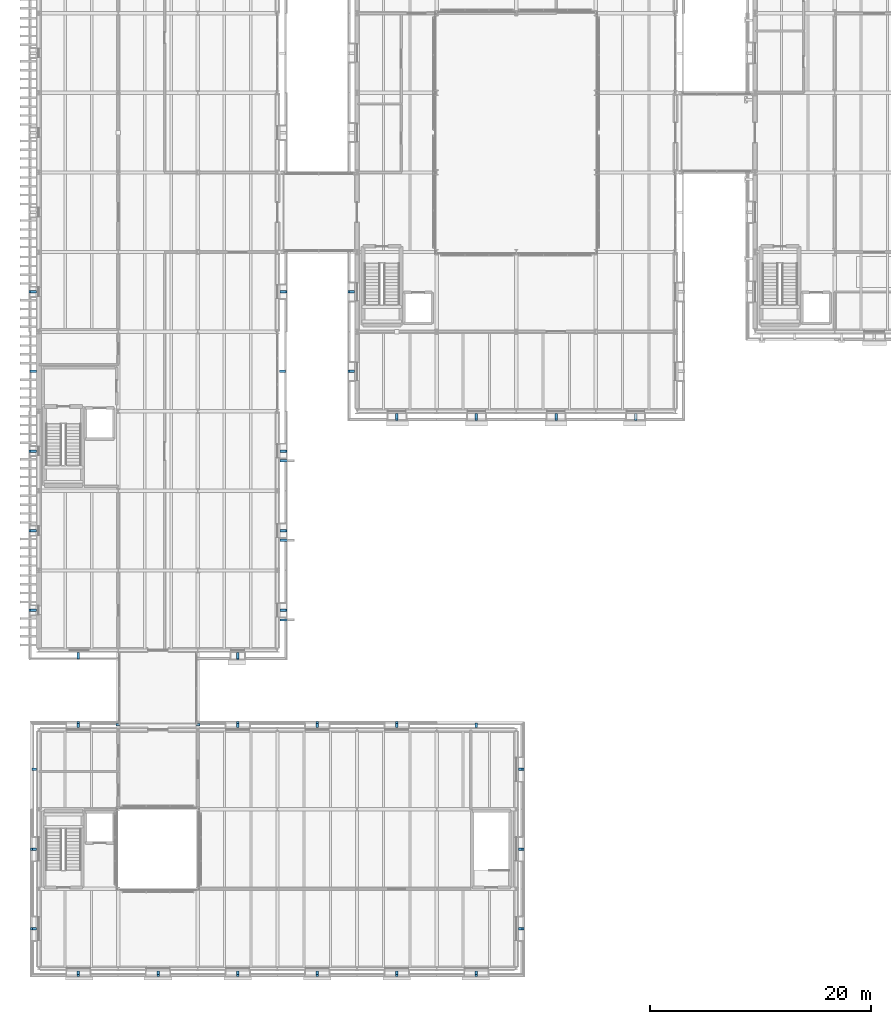
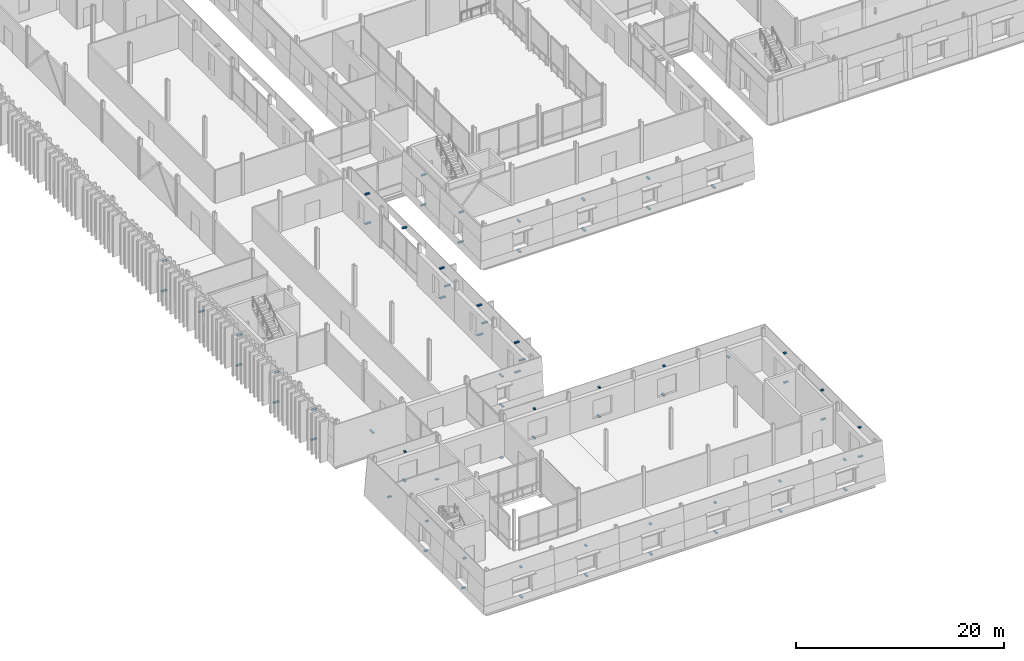
# One storey, part 90 of 121: 69 discrete accessories.
"""IFC4 building model written with IfcOpenShell, lengths in metres."""

from ifc_helpers import new_model, si_unit, direction, frame, origin, origin_2d, place, context, subcontext, project, spatial, rectangle, extrude, material, layer, layer_set, type_object, element, save


model = new_model("IFC4")

# Units and contexts
model_context = context("Model", 3, precision=1e-05, world=origin(), true_north=direction((0.0, 1.0)))
body_context = subcontext(model_context, "Body", "Model", "MODEL_VIEW")
ifc_project = project(units=[si_unit("LENGTHUNIT", "METRE"), si_unit("AREAUNIT", "SQUARE_METRE"), si_unit("VOLUMEUNIT", "CUBIC_METRE"), si_unit("PLANEANGLEUNIT", "RADIAN"), si_unit("MASSUNIT", "GRAM", prefix="KILO")], contexts=[model_context])

# Site, building, storey
site_placement = place(None, origin())
site = spatial("IfcSite", under=ifc_project, at=site_placement, CompositionType="ELEMENT")
building_placement = place(site_placement, origin())
building = spatial("IfcBuilding", under=site, at=building_placement, Name="Narikvali Park Central Library", CompositionType="ELEMENT")
storey_placement = place(building_placement, frame((0.0, 0.0, 5.39990234375)))
storey = spatial("IfcBuildingStorey", under=building, at=storey_placement, Name="L01", CompositionType="ELEMENT", Elevation=5.39990234375)

# Discrete accessories
ifc_material = material(Name="Brushed Stainless Steel S355", Category="steel")
ifc_layer_1 = layer(ifc_material, 0.139892578125, Name="Brushed Stainless Steel S355")
ifc_layer_set_1 = layer_set([ifc_layer_1], Name="Brushed Stainless Steel S355")
discrete_accessory_type_1 = type_object("IfcDiscreteAccessoryType", Name="Cladding Stainless Tie-Back Corbel Bracket", PredefinedType="BRACKET", material=ifc_layer_set_1)
discrete_accessory_1_placement = place(storey_placement, frame((3.60009765625, -0.462646484375, 0.38037109375), z_axis=(0.0, 0.0, 1.0), x_axis=(1.0, 0.0, 0.0)))
element("IfcDiscreteAccessory", 1, at=discrete_accessory_1_placement, inside=storey, type_object=discrete_accessory_type_1, Name="Limestone Cladding Tie-Back Bracket V2-CLD-L01-S-B01-SP", PredefinedType="BRACKET", context=body_context, shape_type="SweptSolid", body=[
    extrude(rectangle(XDim=0.219970703125, YDim=0.505126953125, at=origin_2d()), origin(), (0.0, 0.0, 1.0), 0.139892578125),
])
discrete_accessory_2_placement = place(storey_placement, frame((3.60009765625, -0.37255859375, 3.830078125), z_axis=(0.0, 0.0, 1.0), x_axis=(1.0, 0.0, 0.0)))
element("IfcDiscreteAccessory", 2, at=discrete_accessory_2_placement, inside=storey, type_object=discrete_accessory_type_1, Name="Limestone Cladding Tie-Back Bracket V2-CLD-L01-S-B01-LN", PredefinedType="BRACKET", context=body_context, shape_type="SweptSolid", body=[
    extrude(rectangle(XDim=0.219970703125, YDim=0.3251953125, at=origin_2d()), origin(), (0.0, 0.0, 1.0), 0.139892578125),
])
discrete_accessory_3_placement = place(storey_placement, frame((10.800048828125, -0.462646484375, 0.38037109375), z_axis=(0.0, 0.0, 1.0), x_axis=(1.0, 0.0, 0.0)))
element("IfcDiscreteAccessory", 3, at=discrete_accessory_3_placement, inside=storey, type_object=discrete_accessory_type_1, Name="Limestone Cladding Tie-Back Bracket V2-CLD-L01-S-B02-SP", PredefinedType="BRACKET", context=body_context, shape_type="SweptSolid", body=[
    extrude(rectangle(XDim=0.219970703125, YDim=0.505126953125, at=origin_2d()), origin(), (0.0, 0.0, 1.0), 0.139892578125),
])
discrete_accessory_4_placement = place(storey_placement, frame((10.800048828125, -0.37255859375, 3.830078125), z_axis=(0.0, 0.0, 1.0), x_axis=(1.0, 0.0, 0.0)))
element("IfcDiscreteAccessory", 4, at=discrete_accessory_4_placement, inside=storey, type_object=discrete_accessory_type_1, Name="Limestone Cladding Tie-Back Bracket V2-CLD-L01-S-B02-LN", PredefinedType="BRACKET", context=body_context, shape_type="SweptSolid", body=[
    extrude(rectangle(XDim=0.219970703125, YDim=0.3251953125, at=origin_2d()), origin(), (0.0, 0.0, 1.0), 0.139892578125),
])
discrete_accessory_5_placement = place(storey_placement, frame((18.0, -0.462646484375, 0.38037109375), z_axis=(0.0, 0.0, 1.0), x_axis=(1.0, 0.0, 0.0)))
element("IfcDiscreteAccessory", 5, at=discrete_accessory_5_placement, inside=storey, type_object=discrete_accessory_type_1, Name="Limestone Cladding Tie-Back Bracket V2-CLD-L01-S-B03-SP", PredefinedType="BRACKET", context=body_context, shape_type="SweptSolid", body=[
    extrude(rectangle(XDim=0.219970703125, YDim=0.505126953125, at=origin_2d()), origin(), (0.0, 0.0, 1.0), 0.139892578125),
])
discrete_accessory_6_placement = place(storey_placement, frame((18.0, -0.37255859375, 3.830078125), z_axis=(0.0, 0.0, 1.0), x_axis=(1.0, 0.0, 0.0)))
element("IfcDiscreteAccessory", 6, at=discrete_accessory_6_placement, inside=storey, type_object=discrete_accessory_type_1, Name="Limestone Cladding Tie-Back Bracket V2-CLD-L01-S-B03-LN", PredefinedType="BRACKET", context=body_context, shape_type="SweptSolid", body=[
    extrude(rectangle(XDim=0.219970703125, YDim=0.3251953125, at=origin_2d()), origin(), (0.0, 0.0, 1.0), 0.139892578125),
])
discrete_accessory_7_placement = place(storey_placement, frame((25.199951171875, -0.462646484375, 0.38037109375), z_axis=(0.0, 0.0, 1.0), x_axis=(1.0, 0.0, 0.0)))
element("IfcDiscreteAccessory", 7, at=discrete_accessory_7_placement, inside=storey, type_object=discrete_accessory_type_1, Name="Limestone Cladding Tie-Back Bracket V2-CLD-L01-S-B04-SP", PredefinedType="BRACKET", context=body_context, shape_type="SweptSolid", body=[
    extrude(rectangle(XDim=0.219970703125, YDim=0.505126953125, at=origin_2d()), origin(), (0.0, 0.0, 1.0), 0.139892578125),
])
discrete_accessory_8_placement = place(storey_placement, frame((25.199951171875, -0.37255859375, 3.830078125), z_axis=(0.0, 0.0, 1.0), x_axis=(1.0, 0.0, 0.0)))
element("IfcDiscreteAccessory", 8, at=discrete_accessory_8_placement, inside=storey, type_object=discrete_accessory_type_1, Name="Limestone Cladding Tie-Back Bracket V2-CLD-L01-S-B04-LN", PredefinedType="BRACKET", context=body_context, shape_type="SweptSolid", body=[
    extrude(rectangle(XDim=0.219970703125, YDim=0.3251953125, at=origin_2d()), origin(), (0.0, 0.0, 1.0), 0.139892578125),
])
discrete_accessory_9_placement = place(storey_placement, frame((32.39990234375, -0.462646484375, 0.38037109375), z_axis=(0.0, 0.0, 1.0), x_axis=(1.0, 0.0, 0.0)))
element("IfcDiscreteAccessory", 9, at=discrete_accessory_9_placement, inside=storey, type_object=discrete_accessory_type_1, Name="Limestone Cladding Tie-Back Bracket V2-CLD-L01-S-B05-SP", PredefinedType="BRACKET", context=body_context, shape_type="SweptSolid", body=[
    extrude(rectangle(XDim=0.219970703125, YDim=0.505126953125, at=origin_2d()), origin(), (0.0, 0.0, 1.0), 0.139892578125),
])
discrete_accessory_10_placement = place(storey_placement, frame((32.39990234375, -0.37255859375, 3.830078125), z_axis=(0.0, 0.0, 1.0), x_axis=(1.0, 0.0, 0.0)))
element("IfcDiscreteAccessory", 10, at=discrete_accessory_10_placement, inside=storey, type_object=discrete_accessory_type_1, Name="Limestone Cladding Tie-Back Bracket V2-CLD-L01-S-B05-LN", PredefinedType="BRACKET", context=body_context, shape_type="SweptSolid", body=[
    extrude(rectangle(XDim=0.219970703125, YDim=0.3251953125, at=origin_2d()), origin(), (0.0, 0.0, 1.0), 0.139892578125),
])
discrete_accessory_11_placement = place(storey_placement, frame((39.60009765625, -0.462646484375, 0.38037109375), z_axis=(0.0, 0.0, 1.0), x_axis=(1.0, 0.0, 0.0)))
element("IfcDiscreteAccessory", 11, at=discrete_accessory_11_placement, inside=storey, type_object=discrete_accessory_type_1, Name="Limestone Cladding Tie-Back Bracket V2-CLD-L01-S-B06-SP", PredefinedType="BRACKET", context=body_context, shape_type="SweptSolid", body=[
    extrude(rectangle(XDim=0.219970703125, YDim=0.505126953125, at=origin_2d()), origin(), (0.0, 0.0, 1.0), 0.139892578125),
])
discrete_accessory_12_placement = place(storey_placement, frame((39.60009765625, -0.37255859375, 3.830078125), z_axis=(0.0, 0.0, 1.0), x_axis=(1.0, 0.0, 0.0)))
element("IfcDiscreteAccessory", 12, at=discrete_accessory_12_placement, inside=storey, type_object=discrete_accessory_type_1, Name="Limestone Cladding Tie-Back Bracket V2-CLD-L01-S-B06-LN", PredefinedType="BRACKET", context=body_context, shape_type="SweptSolid", body=[
    extrude(rectangle(XDim=0.219970703125, YDim=0.3251953125, at=origin_2d()), origin(), (0.0, 0.0, 1.0), 0.139892578125),
])
discrete_accessory_13_placement = place(storey_placement, frame((43.66259765625, 3.60009765625, 0.38037109375), z_axis=(0.0, 0.0, 1.0), x_axis=(1.0, 0.0, 0.0)))
element("IfcDiscreteAccessory", 13, at=discrete_accessory_13_placement, inside=storey, type_object=discrete_accessory_type_1, Name="Limestone Cladding Tie-Back Bracket V2-CLD-L01-E-B01-SP", PredefinedType="BRACKET", context=body_context, shape_type="SweptSolid", body=[
    extrude(rectangle(XDim=0.505126953125, YDim=0.219970703125, at=origin_2d()), origin(), (0.0, 0.0, 1.0), 0.139892578125),
])
discrete_accessory_14_placement = place(storey_placement, frame((43.57275390625, 3.60009765625, 3.830078125), z_axis=(0.0, 0.0, 1.0), x_axis=(1.0, 0.0, 0.0)))
element("IfcDiscreteAccessory", 14, at=discrete_accessory_14_placement, inside=storey, type_object=discrete_accessory_type_1, Name="Limestone Cladding Tie-Back Bracket V2-CLD-L01-E-B01-LN", PredefinedType="BRACKET", context=body_context, shape_type="SweptSolid", body=[
    extrude(rectangle(XDim=0.3251953125, YDim=0.219970703125, at=origin_2d()), origin(), (0.0, 0.0, 1.0), 0.139892578125),
])
discrete_accessory_15_placement = place(storey_placement, frame((43.66259765625, 10.800048828125, 0.38037109375), z_axis=(0.0, 0.0, 1.0), x_axis=(1.0, 0.0, 0.0)))
element("IfcDiscreteAccessory", 15, at=discrete_accessory_15_placement, inside=storey, type_object=discrete_accessory_type_1, Name="Limestone Cladding Tie-Back Bracket V2-CLD-L01-E-B02-SP", PredefinedType="BRACKET", context=body_context, shape_type="SweptSolid", body=[
    extrude(rectangle(XDim=0.505126953125, YDim=0.219970703125, at=origin_2d()), origin(), (0.0, 0.0, 1.0), 0.139892578125),
])
discrete_accessory_16_placement = place(storey_placement, frame((43.57275390625, 10.800048828125, 3.830078125), z_axis=(0.0, 0.0, 1.0), x_axis=(1.0, 0.0, 0.0)))
element("IfcDiscreteAccessory", 16, at=discrete_accessory_16_placement, inside=storey, type_object=discrete_accessory_type_1, Name="Limestone Cladding Tie-Back Bracket V2-CLD-L01-E-B02-LN", PredefinedType="BRACKET", context=body_context, shape_type="SweptSolid", body=[
    extrude(rectangle(XDim=0.3251953125, YDim=0.219970703125, at=origin_2d()), origin(), (0.0, 0.0, 1.0), 0.139892578125),
])
discrete_accessory_17_placement = place(storey_placement, frame((43.66259765625, 18.0, 0.38037109375), z_axis=(0.0, 0.0, 1.0), x_axis=(1.0, 0.0, 0.0)))
element("IfcDiscreteAccessory", 17, at=discrete_accessory_17_placement, inside=storey, type_object=discrete_accessory_type_1, Name="Limestone Cladding Tie-Back Bracket V2-CLD-L01-E-B03-SP", PredefinedType="BRACKET", context=body_context, shape_type="SweptSolid", body=[
    extrude(rectangle(XDim=0.505126953125, YDim=0.219970703125, at=origin_2d()), origin(), (0.0, 0.0, 1.0), 0.139892578125),
])
discrete_accessory_18_placement = place(storey_placement, frame((43.57275390625, 18.0, 3.830078125), z_axis=(0.0, 0.0, 1.0), x_axis=(1.0, 0.0, 0.0)))
element("IfcDiscreteAccessory", 18, at=discrete_accessory_18_placement, inside=storey, type_object=discrete_accessory_type_1, Name="Limestone Cladding Tie-Back Bracket V2-CLD-L01-E-B03-LN", PredefinedType="BRACKET", context=body_context, shape_type="SweptSolid", body=[
    extrude(rectangle(XDim=0.3251953125, YDim=0.219970703125, at=origin_2d()), origin(), (0.0, 0.0, 1.0), 0.139892578125),
])
discrete_accessory_19_placement = place(storey_placement, frame((39.60009765625, 22.01171875, 2.330078125), z_axis=(0.0, 0.0, 1.0), x_axis=(1.0, 0.0, 0.0)))
element("IfcDiscreteAccessory", 19, at=discrete_accessory_19_placement, inside=storey, type_object=discrete_accessory_type_1, Name="Limestone Cladding Tie-Back Bracket V2-CLD-L01-N-B01-FULL", PredefinedType="BRACKET", context=body_context, shape_type="SweptSolid", body=[
    extrude(rectangle(XDim=0.219970703125, YDim=0.403564453125, at=origin_2d()), origin(), (0.0, 0.0, 1.0), 0.139892578125),
])
discrete_accessory_20_placement = place(storey_placement, frame((32.39990234375, 22.0625, 0.38037109375), z_axis=(0.0, 0.0, 1.0), x_axis=(1.0, 0.0, 0.0)))
element("IfcDiscreteAccessory", 20, at=discrete_accessory_20_placement, inside=storey, type_object=discrete_accessory_type_1, Name="Limestone Cladding Tie-Back Bracket V2-CLD-L01-N-B02-SP", PredefinedType="BRACKET", context=body_context, shape_type="SweptSolid", body=[
    extrude(rectangle(XDim=0.219970703125, YDim=0.505126953125, at=origin_2d()), origin(), (0.0, 0.0, 1.0), 0.139892578125),
])
discrete_accessory_21_placement = place(storey_placement, frame((32.39990234375, 21.97265625, 3.830078125), z_axis=(0.0, 0.0, 1.0), x_axis=(1.0, 0.0, 0.0)))
element("IfcDiscreteAccessory", 21, at=discrete_accessory_21_placement, inside=storey, type_object=discrete_accessory_type_1, Name="Limestone Cladding Tie-Back Bracket V2-CLD-L01-N-B02-LN", PredefinedType="BRACKET", context=body_context, shape_type="SweptSolid", body=[
    extrude(rectangle(XDim=0.219970703125, YDim=0.3251953125, at=origin_2d()), origin(), (0.0, 0.0, 1.0), 0.139892578125),
])
discrete_accessory_22_placement = place(storey_placement, frame((25.199951171875, 22.0625, 0.38037109375), z_axis=(0.0, 0.0, 1.0), x_axis=(1.0, 0.0, 0.0)))
element("IfcDiscreteAccessory", 22, at=discrete_accessory_22_placement, inside=storey, type_object=discrete_accessory_type_1, Name="Limestone Cladding Tie-Back Bracket V2-CLD-L01-N-B03-SP", PredefinedType="BRACKET", context=body_context, shape_type="SweptSolid", body=[
    extrude(rectangle(XDim=0.219970703125, YDim=0.505126953125, at=origin_2d()), origin(), (0.0, 0.0, 1.0), 0.139892578125),
])
discrete_accessory_23_placement = place(storey_placement, frame((25.199951171875, 21.97265625, 3.830078125), z_axis=(0.0, 0.0, 1.0), x_axis=(1.0, 0.0, 0.0)))
element("IfcDiscreteAccessory", 23, at=discrete_accessory_23_placement, inside=storey, type_object=discrete_accessory_type_1, Name="Limestone Cladding Tie-Back Bracket V2-CLD-L01-N-B03-LN", PredefinedType="BRACKET", context=body_context, shape_type="SweptSolid", body=[
    extrude(rectangle(XDim=0.219970703125, YDim=0.3251953125, at=origin_2d()), origin(), (0.0, 0.0, 1.0), 0.139892578125),
])
discrete_accessory_24_placement = place(storey_placement, frame((18.0, 22.0625, 0.38037109375), z_axis=(0.0, 0.0, 1.0), x_axis=(1.0, 0.0, 0.0)))
element("IfcDiscreteAccessory", 24, at=discrete_accessory_24_placement, inside=storey, type_object=discrete_accessory_type_1, Name="Limestone Cladding Tie-Back Bracket V2-CLD-L01-N-B04-SP", PredefinedType="BRACKET", context=body_context, shape_type="SweptSolid", body=[
    extrude(rectangle(XDim=0.219970703125, YDim=0.505126953125, at=origin_2d()), origin(), (0.0, 0.0, 1.0), 0.139892578125),
])
discrete_accessory_25_placement = place(storey_placement, frame((18.0, 21.97265625, 3.830078125), z_axis=(0.0, 0.0, 1.0), x_axis=(1.0, 0.0, 0.0)))
element("IfcDiscreteAccessory", 25, at=discrete_accessory_25_placement, inside=storey, type_object=discrete_accessory_type_1, Name="Limestone Cladding Tie-Back Bracket V2-CLD-L01-N-B04-LN", PredefinedType="BRACKET", context=body_context, shape_type="SweptSolid", body=[
    extrude(rectangle(XDim=0.219970703125, YDim=0.3251953125, at=origin_2d()), origin(), (0.0, 0.0, 1.0), 0.139892578125),
])
discrete_accessory_26_placement = place(storey_placement, frame((3.60009765625, 22.0625, 0.38037109375), z_axis=(0.0, 0.0, 1.0), x_axis=(1.0, 0.0, 0.0)))
element("IfcDiscreteAccessory", 26, at=discrete_accessory_26_placement, inside=storey, type_object=discrete_accessory_type_1, Name="Limestone Cladding Tie-Back Bracket V2-CLD-L01-N-B06-SP", PredefinedType="BRACKET", context=body_context, shape_type="SweptSolid", body=[
    extrude(rectangle(XDim=0.219970703125, YDim=0.505126953125, at=origin_2d()), origin(), (0.0, 0.0, 1.0), 0.139892578125),
])
discrete_accessory_27_placement = place(storey_placement, frame((3.60009765625, 21.97265625, 3.830078125), z_axis=(0.0, 0.0, 1.0), x_axis=(1.0, 0.0, 0.0)))
element("IfcDiscreteAccessory", 27, at=discrete_accessory_27_placement, inside=storey, type_object=discrete_accessory_type_1, Name="Limestone Cladding Tie-Back Bracket V2-CLD-L01-N-B06-LN", PredefinedType="BRACKET", context=body_context, shape_type="SweptSolid", body=[
    extrude(rectangle(XDim=0.219970703125, YDim=0.3251953125, at=origin_2d()), origin(), (0.0, 0.0, 1.0), 0.139892578125),
])
discrete_accessory_28_placement = place(storey_placement, frame((-0.41162109375, 18.0, 2.330078125), z_axis=(0.0, 0.0, 1.0), x_axis=(1.0, 0.0, 0.0)))
element("IfcDiscreteAccessory", 28, at=discrete_accessory_28_placement, inside=storey, type_object=discrete_accessory_type_1, Name="Limestone Cladding Tie-Back Bracket V2-CLD-L01-W-B01-FULL", PredefinedType="BRACKET", context=body_context, shape_type="SweptSolid", body=[
    extrude(rectangle(XDim=0.403564453125, YDim=0.219970703125, at=origin_2d()), origin(), (0.0, 0.0, 1.0), 0.139892578125),
])
discrete_accessory_29_placement = place(storey_placement, frame((-0.462646484375, 10.800048828125, 0.38037109375), z_axis=(0.0, 0.0, 1.0), x_axis=(1.0, 0.0, 0.0)))
element("IfcDiscreteAccessory", 29, at=discrete_accessory_29_placement, inside=storey, type_object=discrete_accessory_type_1, Name="Limestone Cladding Tie-Back Bracket V2-CLD-L01-W-B02-SP", PredefinedType="BRACKET", context=body_context, shape_type="SweptSolid", body=[
    extrude(rectangle(XDim=0.505126953125, YDim=0.219970703125, at=origin_2d()), origin(), (0.0, 0.0, 1.0), 0.139892578125),
])
discrete_accessory_30_placement = place(storey_placement, frame((-0.37255859375, 10.800048828125, 3.830078125), z_axis=(0.0, 0.0, 1.0), x_axis=(1.0, 0.0, 0.0)))
element("IfcDiscreteAccessory", 30, at=discrete_accessory_30_placement, inside=storey, type_object=discrete_accessory_type_1, Name="Limestone Cladding Tie-Back Bracket V2-CLD-L01-W-B02-LN", PredefinedType="BRACKET", context=body_context, shape_type="SweptSolid", body=[
    extrude(rectangle(XDim=0.3251953125, YDim=0.219970703125, at=origin_2d()), origin(), (0.0, 0.0, 1.0), 0.139892578125),
])
discrete_accessory_31_placement = place(storey_placement, frame((-0.462646484375, 3.60009765625, 0.38037109375), z_axis=(0.0, 0.0, 1.0), x_axis=(1.0, 0.0, 0.0)))
element("IfcDiscreteAccessory", 31, at=discrete_accessory_31_placement, inside=storey, type_object=discrete_accessory_type_1, Name="Limestone Cladding Tie-Back Bracket V2-CLD-L01-W-B03-SP", PredefinedType="BRACKET", context=body_context, shape_type="SweptSolid", body=[
    extrude(rectangle(XDim=0.505126953125, YDim=0.219970703125, at=origin_2d()), origin(), (0.0, 0.0, 1.0), 0.139892578125),
])
discrete_accessory_32_placement = place(storey_placement, frame((-0.37255859375, 3.60009765625, 3.830078125), z_axis=(0.0, 0.0, 1.0), x_axis=(1.0, 0.0, 0.0)))
element("IfcDiscreteAccessory", 32, at=discrete_accessory_32_placement, inside=storey, type_object=discrete_accessory_type_1, Name="Limestone Cladding Tie-Back Bracket V2-CLD-L01-W-B03-LN", PredefinedType="BRACKET", context=body_context, shape_type="SweptSolid", body=[
    extrude(rectangle(XDim=0.3251953125, YDim=0.219970703125, at=origin_2d()), origin(), (0.0, 0.0, 1.0), 0.139892578125),
])
discrete_accessory_33_placement = place(storey_placement, frame((32.39990234375, 49.8837890625, 0.4052734375), z_axis=(0.0, 0.0, 1.0), x_axis=(1.0, 0.0, 0.0)))
element("IfcDiscreteAccessory", 33, at=discrete_accessory_33_placement, inside=storey, type_object=discrete_accessory_type_1, Name="Limestone Cladding Tie-Back Bracket V4-CLD-L01-S-B01-SP", PredefinedType="BRACKET", context=body_context, shape_type="SweptSolid", body=[
    extrude(rectangle(XDim=0.219970703125, YDim=0.612060546875, at=origin_2d()), origin(), (0.0, 0.0, 1.0), 0.139892578125),
])
discrete_accessory_34_placement = place(storey_placement, frame((32.39990234375, 49.94287109375, 3.9052734375), z_axis=(0.0, 0.0, 1.0), x_axis=(1.0, 0.0, 0.0)))
element("IfcDiscreteAccessory", 34, at=discrete_accessory_34_placement, inside=storey, type_object=discrete_accessory_type_1, Name="Limestone Cladding Tie-Back Bracket V4-CLD-L01-S-B01-LN", PredefinedType="BRACKET", context=body_context, shape_type="SweptSolid", body=[
    extrude(rectangle(XDim=0.219970703125, YDim=0.494140625, at=origin_2d()), origin(), (0.0, 0.0, 1.0), 0.139892578125),
])
discrete_accessory_35_placement = place(storey_placement, frame((39.60009765625, 49.8837890625, 0.4052734375), z_axis=(0.0, 0.0, 1.0), x_axis=(1.0, 0.0, 0.0)))
element("IfcDiscreteAccessory", 35, at=discrete_accessory_35_placement, inside=storey, type_object=discrete_accessory_type_1, Name="Limestone Cladding Tie-Back Bracket V4-CLD-L01-S-B02-SP", PredefinedType="BRACKET", context=body_context, shape_type="SweptSolid", body=[
    extrude(rectangle(XDim=0.219970703125, YDim=0.612060546875, at=origin_2d()), origin(), (0.0, 0.0, 1.0), 0.139892578125),
])
discrete_accessory_36_placement = place(storey_placement, frame((39.60009765625, 49.94287109375, 3.9052734375), z_axis=(0.0, 0.0, 1.0), x_axis=(1.0, 0.0, 0.0)))
element("IfcDiscreteAccessory", 36, at=discrete_accessory_36_placement, inside=storey, type_object=discrete_accessory_type_1, Name="Limestone Cladding Tie-Back Bracket V4-CLD-L01-S-B02-LN", PredefinedType="BRACKET", context=body_context, shape_type="SweptSolid", body=[
    extrude(rectangle(XDim=0.219970703125, YDim=0.494140625, at=origin_2d()), origin(), (0.0, 0.0, 1.0), 0.139892578125),
])
discrete_accessory_37_placement = place(storey_placement, frame((46.800048828125, 49.8837890625, 0.4052734375), z_axis=(0.0, 0.0, 1.0), x_axis=(1.0, 0.0, 0.0)))
element("IfcDiscreteAccessory", 37, at=discrete_accessory_37_placement, inside=storey, type_object=discrete_accessory_type_1, Name="Limestone Cladding Tie-Back Bracket V4-CLD-L01-S-B03-SP", PredefinedType="BRACKET", context=body_context, shape_type="SweptSolid", body=[
    extrude(rectangle(XDim=0.219970703125, YDim=0.612060546875, at=origin_2d()), origin(), (0.0, 0.0, 1.0), 0.139892578125),
])
discrete_accessory_38_placement = place(storey_placement, frame((46.800048828125, 49.94287109375, 3.9052734375), z_axis=(0.0, 0.0, 1.0), x_axis=(1.0, 0.0, 0.0)))
element("IfcDiscreteAccessory", 38, at=discrete_accessory_38_placement, inside=storey, type_object=discrete_accessory_type_1, Name="Limestone Cladding Tie-Back Bracket V4-CLD-L01-S-B03-LN", PredefinedType="BRACKET", context=body_context, shape_type="SweptSolid", body=[
    extrude(rectangle(XDim=0.219970703125, YDim=0.494140625, at=origin_2d()), origin(), (0.0, 0.0, 1.0), 0.139892578125),
])
discrete_accessory_39_placement = place(storey_placement, frame((54.0, 49.8837890625, 0.4052734375), z_axis=(0.0, 0.0, 1.0), x_axis=(1.0, 0.0, 0.0)))
element("IfcDiscreteAccessory", 39, at=discrete_accessory_39_placement, inside=storey, type_object=discrete_accessory_type_1, Name="Limestone Cladding Tie-Back Bracket V4-CLD-L01-S-B04-SP", PredefinedType="BRACKET", context=body_context, shape_type="SweptSolid", body=[
    extrude(rectangle(XDim=0.219970703125, YDim=0.612060546875, at=origin_2d()), origin(), (0.0, 0.0, 1.0), 0.139892578125),
])
discrete_accessory_40_placement = place(storey_placement, frame((28.283935546875, 61.199951171875, 0.4052734375), z_axis=(0.0, 0.0, 1.0), x_axis=(1.0, 0.0, 0.0)))
element("IfcDiscreteAccessory", 40, at=discrete_accessory_40_placement, inside=storey, type_object=discrete_accessory_type_1, Name="Limestone Cladding Tie-Back Bracket V4-CLD-L01-W-B08-SP", PredefinedType="BRACKET", context=body_context, shape_type="SweptSolid", body=[
    extrude(rectangle(XDim=0.612060546875, YDim=0.219970703125, at=origin_2d()), origin(), (0.0, 0.0, 1.0), 0.139892578125),
])
discrete_accessory_41_placement = place(storey_placement, frame((28.343017578125, 61.199951171875, 3.9052734375), z_axis=(0.0, 0.0, 1.0), x_axis=(1.0, 0.0, 0.0)))
element("IfcDiscreteAccessory", 41, at=discrete_accessory_41_placement, inside=storey, type_object=discrete_accessory_type_1, Name="Limestone Cladding Tie-Back Bracket V4-CLD-L01-W-B08-LN", PredefinedType="BRACKET", context=body_context, shape_type="SweptSolid", body=[
    extrude(rectangle(XDim=0.494140625, YDim=0.219970703125, at=origin_2d()), origin(), (0.0, 0.0, 1.0), 0.139892578125),
])
discrete_accessory_42_placement = place(storey_placement, frame((28.283935546875, 54.0, 0.4052734375), z_axis=(0.0, 0.0, 1.0), x_axis=(1.0, 0.0, 0.0)))
element("IfcDiscreteAccessory", 42, at=discrete_accessory_42_placement, inside=storey, type_object=discrete_accessory_type_1, Name="Limestone Cladding Tie-Back Bracket V4-CLD-L01-W-B09-SP", PredefinedType="BRACKET", context=body_context, shape_type="SweptSolid", body=[
    extrude(rectangle(XDim=0.612060546875, YDim=0.219970703125, at=origin_2d()), origin(), (0.0, 0.0, 1.0), 0.139892578125),
])
discrete_accessory_43_placement = place(storey_placement, frame((28.343017578125, 54.0, 3.9052734375), z_axis=(0.0, 0.0, 1.0), x_axis=(1.0, 0.0, 0.0)))
element("IfcDiscreteAccessory", 43, at=discrete_accessory_43_placement, inside=storey, type_object=discrete_accessory_type_1, Name="Limestone Cladding Tie-Back Bracket V4-CLD-L01-W-B09-LN", PredefinedType="BRACKET", context=body_context, shape_type="SweptSolid", body=[
    extrude(rectangle(XDim=0.494140625, YDim=0.219970703125, at=origin_2d()), origin(), (0.0, 0.0, 1.0), 0.139892578125),
])
discrete_accessory_44_placement = place(storey_placement, frame((3.60009765625, 28.295654296875, 2.330078125), z_axis=(0.0, 0.0, 1.0), x_axis=(1.0, 0.0, 0.0)))
element("IfcDiscreteAccessory", 44, at=discrete_accessory_44_placement, inside=storey, type_object=discrete_accessory_type_1, Name="Limestone Cladding Tie-Back Bracket V5-CLD-L01-S-B01-FULL", PredefinedType="BRACKET", context=body_context, shape_type="SweptSolid", body=[
    extrude(rectangle(XDim=0.219970703125, YDim=0.588623046875, at=origin_2d()), origin(), (0.0, 0.0, 1.0), 0.139892578125),
])
discrete_accessory_45_placement = place(storey_placement, frame((18.0, 28.268310546875, 0.4052734375), z_axis=(0.0, 0.0, 1.0), x_axis=(1.0, 0.0, 0.0)))
element("IfcDiscreteAccessory", 45, at=discrete_accessory_45_placement, inside=storey, type_object=discrete_accessory_type_1, Name="Limestone Cladding Tie-Back Bracket V5-CLD-L01-S-B03-SP", PredefinedType="BRACKET", context=body_context, shape_type="SweptSolid", body=[
    extrude(rectangle(XDim=0.219970703125, YDim=0.643310546875, at=origin_2d()), origin(), (0.0, 0.0, 1.0), 0.139892578125),
])
discrete_accessory_46_placement = place(storey_placement, frame((18.0, 28.317626953125, 3.88037109375), z_axis=(0.0, 0.0, 1.0), x_axis=(1.0, 0.0, 0.0)))
element("IfcDiscreteAccessory", 46, at=discrete_accessory_46_placement, inside=storey, type_object=discrete_accessory_type_1, Name="Limestone Cladding Tie-Back Bracket V5-CLD-L01-S-B03-LN", PredefinedType="BRACKET", context=body_context, shape_type="SweptSolid", body=[
    extrude(rectangle(XDim=0.219970703125, YDim=0.544921875, at=origin_2d()), origin(), (0.0, 0.0, 1.0), 0.139892578125),
])
discrete_accessory_47_placement = place(storey_placement, frame((22.131591796875, 32.39990234375, 0.4052734375), z_axis=(0.0, 0.0, 1.0), x_axis=(1.0, 0.0, 0.0)))
element("IfcDiscreteAccessory", 47, at=discrete_accessory_47_placement, inside=storey, type_object=discrete_accessory_type_1, Name="Limestone Cladding Tie-Back Bracket V5-CLD-L01-E-B01-SP", PredefinedType="BRACKET", context=body_context, shape_type="SweptSolid", body=[
    extrude(rectangle(XDim=0.643310546875, YDim=0.219970703125, at=origin_2d()), origin(), (0.0, 0.0, 1.0), 0.139892578125),
])
discrete_accessory_48_placement = place(storey_placement, frame((22.08251953125, 32.39990234375, 3.88037109375), z_axis=(0.0, 0.0, 1.0), x_axis=(1.0, 0.0, 0.0)))
element("IfcDiscreteAccessory", 48, at=discrete_accessory_48_placement, inside=storey, type_object=discrete_accessory_type_1, Name="Limestone Cladding Tie-Back Bracket V5-CLD-L01-E-B01-LN", PredefinedType="BRACKET", context=body_context, shape_type="SweptSolid", body=[
    extrude(rectangle(XDim=0.544921875, YDim=0.219970703125, at=origin_2d()), origin(), (0.0, 0.0, 1.0), 0.139892578125),
])
discrete_accessory_49_placement = place(storey_placement, frame((22.131591796875, 39.60009765625, 0.4052734375), z_axis=(0.0, 0.0, 1.0), x_axis=(1.0, 0.0, 0.0)))
element("IfcDiscreteAccessory", 49, at=discrete_accessory_49_placement, inside=storey, type_object=discrete_accessory_type_1, Name="Limestone Cladding Tie-Back Bracket V5-CLD-L01-E-B02-SP", PredefinedType="BRACKET", context=body_context, shape_type="SweptSolid", body=[
    extrude(rectangle(XDim=0.643310546875, YDim=0.219970703125, at=origin_2d()), origin(), (0.0, 0.0, 1.0), 0.139892578125),
])
discrete_accessory_50_placement = place(storey_placement, frame((22.08251953125, 39.60009765625, 3.88037109375), z_axis=(0.0, 0.0, 1.0), x_axis=(1.0, 0.0, 0.0)))
element("IfcDiscreteAccessory", 50, at=discrete_accessory_50_placement, inside=storey, type_object=discrete_accessory_type_1, Name="Limestone Cladding Tie-Back Bracket V5-CLD-L01-E-B02-LN", PredefinedType="BRACKET", context=body_context, shape_type="SweptSolid", body=[
    extrude(rectangle(XDim=0.544921875, YDim=0.219970703125, at=origin_2d()), origin(), (0.0, 0.0, 1.0), 0.139892578125),
])
discrete_accessory_51_placement = place(storey_placement, frame((22.131591796875, 46.800048828125, 0.4052734375), z_axis=(0.0, 0.0, 1.0), x_axis=(1.0, 0.0, 0.0)))
element("IfcDiscreteAccessory", 51, at=discrete_accessory_51_placement, inside=storey, type_object=discrete_accessory_type_1, Name="Limestone Cladding Tie-Back Bracket V5-CLD-L01-E-B03-SP", PredefinedType="BRACKET", context=body_context, shape_type="SweptSolid", body=[
    extrude(rectangle(XDim=0.643310546875, YDim=0.219970703125, at=origin_2d()), origin(), (0.0, 0.0, 1.0), 0.139892578125),
])
discrete_accessory_52_placement = place(storey_placement, frame((22.08251953125, 46.800048828125, 3.88037109375), z_axis=(0.0, 0.0, 1.0), x_axis=(1.0, 0.0, 0.0)))
element("IfcDiscreteAccessory", 52, at=discrete_accessory_52_placement, inside=storey, type_object=discrete_accessory_type_1, Name="Limestone Cladding Tie-Back Bracket V5-CLD-L01-E-B03-LN", PredefinedType="BRACKET", context=body_context, shape_type="SweptSolid", body=[
    extrude(rectangle(XDim=0.544921875, YDim=0.219970703125, at=origin_2d()), origin(), (0.0, 0.0, 1.0), 0.139892578125),
])
discrete_accessory_53_placement = place(storey_placement, frame((22.06689453125, 54.0, 4.27001953125), z_axis=(0.0, 0.0, 1.0), x_axis=(1.0, 0.0, 0.0)))
element("IfcDiscreteAccessory", 53, at=discrete_accessory_53_placement, inside=storey, type_object=discrete_accessory_type_1, Name="Limestone Cladding Tie-Back Bracket V5-CLD-L01-E-B04-HDR", PredefinedType="BRACKET", context=body_context, shape_type="SweptSolid", body=[
    extrude(rectangle(XDim=0.5537109375, YDim=0.219970703125, at=origin_2d()), origin(), (0.0, 0.0, 1.0), 0.139892578125),
])
discrete_accessory_54_placement = place(storey_placement, frame((22.131591796875, 61.199951171875, 0.4052734375), z_axis=(0.0, 0.0, 1.0), x_axis=(1.0, 0.0, 0.0)))
element("IfcDiscreteAccessory", 54, at=discrete_accessory_54_placement, inside=storey, type_object=discrete_accessory_type_1, Name="Limestone Cladding Tie-Back Bracket V5-CLD-L01-E-B05-SP", PredefinedType="BRACKET", context=body_context, shape_type="SweptSolid", body=[
    extrude(rectangle(XDim=0.643310546875, YDim=0.219970703125, at=origin_2d()), origin(), (0.0, 0.0, 1.0), 0.139892578125),
])
discrete_accessory_55_placement = place(storey_placement, frame((22.08251953125, 61.199951171875, 3.88037109375), z_axis=(0.0, 0.0, 1.0), x_axis=(1.0, 0.0, 0.0)))
element("IfcDiscreteAccessory", 55, at=discrete_accessory_55_placement, inside=storey, type_object=discrete_accessory_type_1, Name="Limestone Cladding Tie-Back Bracket V5-CLD-L01-E-B05-LN", PredefinedType="BRACKET", context=body_context, shape_type="SweptSolid", body=[
    extrude(rectangle(XDim=0.544921875, YDim=0.219970703125, at=origin_2d()), origin(), (0.0, 0.0, 1.0), 0.139892578125),
])
discrete_accessory_56_placement = place(storey_placement, frame((-0.53173828125, 61.199951171875, 0.4052734375), z_axis=(0.0, 0.0, 1.0), x_axis=(1.0, 0.0, 0.0)))
element("IfcDiscreteAccessory", 56, at=discrete_accessory_56_placement, inside=storey, type_object=discrete_accessory_type_1, Name="Limestone Cladding Tie-Back Bracket V5-CLD-L01-W-B07-SP", PredefinedType="BRACKET", context=body_context, shape_type="SweptSolid", body=[
    extrude(rectangle(XDim=0.643310546875, YDim=0.219970703125, at=origin_2d()), origin(), (0.0, 0.0, 1.0), 0.139892578125),
])
discrete_accessory_57_placement = place(storey_placement, frame((-0.482421875, 61.199951171875, 3.88037109375), z_axis=(0.0, 0.0, 1.0), x_axis=(1.0, 0.0, 0.0)))
element("IfcDiscreteAccessory", 57, at=discrete_accessory_57_placement, inside=storey, type_object=discrete_accessory_type_1, Name="Limestone Cladding Tie-Back Bracket V5-CLD-L01-W-B07-LN", PredefinedType="BRACKET", context=body_context, shape_type="SweptSolid", body=[
    extrude(rectangle(XDim=0.544921875, YDim=0.219970703125, at=origin_2d()), origin(), (0.0, 0.0, 1.0), 0.139892578125),
])
discrete_accessory_58_placement = place(storey_placement, frame((-0.50439453125, 54.0, 2.330078125), z_axis=(0.0, 0.0, 1.0), x_axis=(1.0, 0.0, 0.0)))
element("IfcDiscreteAccessory", 58, at=discrete_accessory_58_placement, inside=storey, type_object=discrete_accessory_type_1, Name="Limestone Cladding Tie-Back Bracket V5-CLD-L01-W-B08-FULL", PredefinedType="BRACKET", context=body_context, shape_type="SweptSolid", body=[
    extrude(rectangle(XDim=0.588623046875, YDim=0.219970703125, at=origin_2d()), origin(), (0.0, 0.0, 1.0), 0.139892578125),
])
discrete_accessory_59_placement = place(storey_placement, frame((-0.53173828125, 46.800048828125, 0.4052734375), z_axis=(0.0, 0.0, 1.0), x_axis=(1.0, 0.0, 0.0)))
element("IfcDiscreteAccessory", 59, at=discrete_accessory_59_placement, inside=storey, type_object=discrete_accessory_type_1, Name="Limestone Cladding Tie-Back Bracket V5-CLD-L01-W-B09-SP", PredefinedType="BRACKET", context=body_context, shape_type="SweptSolid", body=[
    extrude(rectangle(XDim=0.643310546875, YDim=0.219970703125, at=origin_2d()), origin(), (0.0, 0.0, 1.0), 0.139892578125),
])
discrete_accessory_60_placement = place(storey_placement, frame((-0.482421875, 46.800048828125, 3.88037109375), z_axis=(0.0, 0.0, 1.0), x_axis=(1.0, 0.0, 0.0)))
element("IfcDiscreteAccessory", 60, at=discrete_accessory_60_placement, inside=storey, type_object=discrete_accessory_type_1, Name="Limestone Cladding Tie-Back Bracket V5-CLD-L01-W-B09-LN", PredefinedType="BRACKET", context=body_context, shape_type="SweptSolid", body=[
    extrude(rectangle(XDim=0.544921875, YDim=0.219970703125, at=origin_2d()), origin(), (0.0, 0.0, 1.0), 0.139892578125),
])
discrete_accessory_61_placement = place(storey_placement, frame((-0.53173828125, 39.60009765625, 0.4052734375), z_axis=(0.0, 0.0, 1.0), x_axis=(1.0, 0.0, 0.0)))
element("IfcDiscreteAccessory", 61, at=discrete_accessory_61_placement, inside=storey, type_object=discrete_accessory_type_1, Name="Limestone Cladding Tie-Back Bracket V5-CLD-L01-W-B10-SP", PredefinedType="BRACKET", context=body_context, shape_type="SweptSolid", body=[
    extrude(rectangle(XDim=0.643310546875, YDim=0.219970703125, at=origin_2d()), origin(), (0.0, 0.0, 1.0), 0.139892578125),
])
discrete_accessory_62_placement = place(storey_placement, frame((-0.482421875, 39.60009765625, 3.88037109375), z_axis=(0.0, 0.0, 1.0), x_axis=(1.0, 0.0, 0.0)))
element("IfcDiscreteAccessory", 62, at=discrete_accessory_62_placement, inside=storey, type_object=discrete_accessory_type_1, Name="Limestone Cladding Tie-Back Bracket V5-CLD-L01-W-B10-LN", PredefinedType="BRACKET", context=body_context, shape_type="SweptSolid", body=[
    extrude(rectangle(XDim=0.544921875, YDim=0.219970703125, at=origin_2d()), origin(), (0.0, 0.0, 1.0), 0.139892578125),
])
discrete_accessory_63_placement = place(storey_placement, frame((-0.53173828125, 32.39990234375, 0.4052734375), z_axis=(0.0, 0.0, 1.0), x_axis=(1.0, 0.0, 0.0)))
element("IfcDiscreteAccessory", 63, at=discrete_accessory_63_placement, inside=storey, type_object=discrete_accessory_type_1, Name="Limestone Cladding Tie-Back Bracket V5-CLD-L01-W-B11-SP", PredefinedType="BRACKET", context=body_context, shape_type="SweptSolid", body=[
    extrude(rectangle(XDim=0.643310546875, YDim=0.219970703125, at=origin_2d()), origin(), (0.0, 0.0, 1.0), 0.139892578125),
])
discrete_accessory_64_placement = place(storey_placement, frame((-0.482421875, 32.39990234375, 3.88037109375), z_axis=(0.0, 0.0, 1.0), x_axis=(1.0, 0.0, 0.0)))
element("IfcDiscreteAccessory", 64, at=discrete_accessory_64_placement, inside=storey, type_object=discrete_accessory_type_1, Name="Limestone Cladding Tie-Back Bracket V5-CLD-L01-W-B11-LN", PredefinedType="BRACKET", context=body_context, shape_type="SweptSolid", body=[
    extrude(rectangle(XDim=0.544921875, YDim=0.219970703125, at=origin_2d()), origin(), (0.0, 0.0, 1.0), 0.139892578125),
])
for number, where, z_axis, x_axis, name in (
    (65, (22.159423828125, 31.52001953125, 2.330078125), (0.0, 0.0, 1.0), (1.0, 0.0, 0.0), "Sun Louver Tie-Back Fixing Bracket 002"),
    (66, (22.159423828125, 38.719970703125, 2.330078125), (0.0, 0.0, 1.0), (1.0, 0.0, 0.0), "Sun Louver Tie-Back Fixing Bracket 006"),
    (67, (22.159423828125, 45.919921875, 2.330078125), (0.0, 0.0, 1.0), (1.0, 0.0, 0.0), "Sun Louver Tie-Back Fixing Bracket 010"),
):
    element("IfcDiscreteAccessory", number, at=place(storey_placement, frame(where, z_axis=z_axis, x_axis=x_axis)), inside=storey, type_object=discrete_accessory_type_1, Name=name, PredefinedType="BRACKET", context=body_context, shape_type="SweptSolid", body=[
        extrude(rectangle(XDim=0.6787109375, YDim=0.219970703125, at=origin_2d()), origin(), (0.0, 0.0, 1.0), 0.139892578125),
    ])
ifc_layer_2 = layer(ifc_material, 0.080078125, Name="Brushed Stainless Steel S355")
ifc_layer_set_2 = layer_set([ifc_layer_2], Name="Brushed Stainless Steel S355")
discrete_accessory_type_2 = type_object("IfcDiscreteAccessoryType", Name="Unguided PTFE Sliding Bridge Bearing", PredefinedType="BRACKET", material=ifc_layer_set_2)
for number, where, z_axis, x_axis, name in (
    (68, (7.199951171875, 22.030029296875, -0.679931640625), (0.0, 0.0, 1.0), (1.0, 0.0, 0.0), "BRG-5 L01 Unguided PTFE Sliding Bearing 1"),
    (69, (14.39990234375, 22.030029296875, -0.679931640625), (0.0, 0.0, 1.0), (1.0, 0.0, 0.0), "BRG-5 L01 Unguided PTFE Sliding Bearing 2"),
):
    element("IfcDiscreteAccessory", number, at=place(storey_placement, frame(where, z_axis=z_axis, x_axis=x_axis)), inside=storey, type_object=discrete_accessory_type_2, Name=name, PredefinedType="BRACKET", context=body_context, shape_type="SweptSolid", body=[
        extrude(rectangle(XDim=0.360107421875, YDim=0.239990234375, at=origin_2d()), origin(), (0.0, 0.0, 1.0), 0.080078125),
    ])

save(model, "model.ifc")
